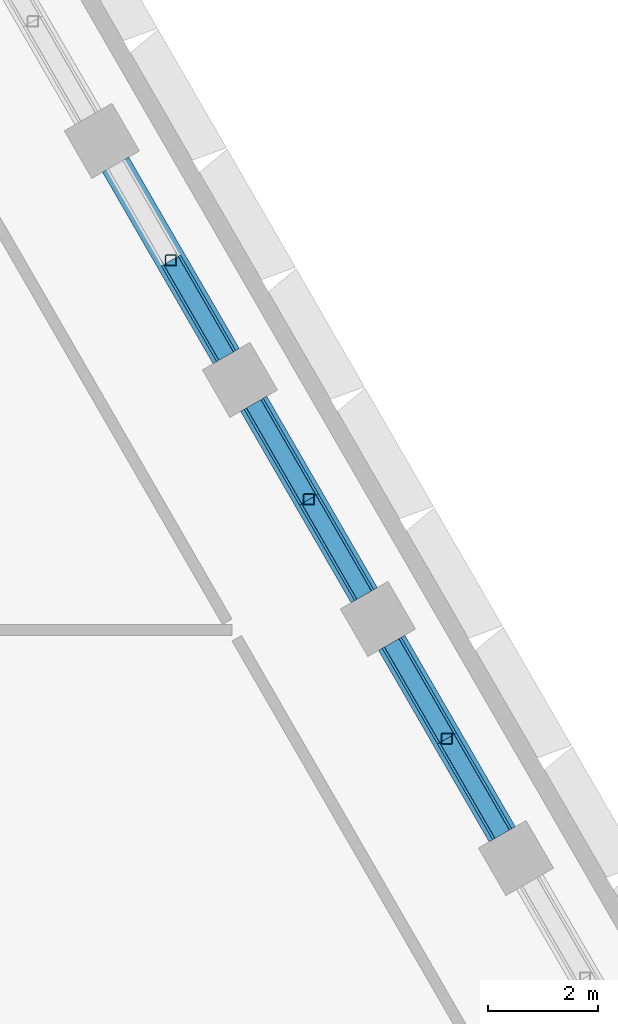
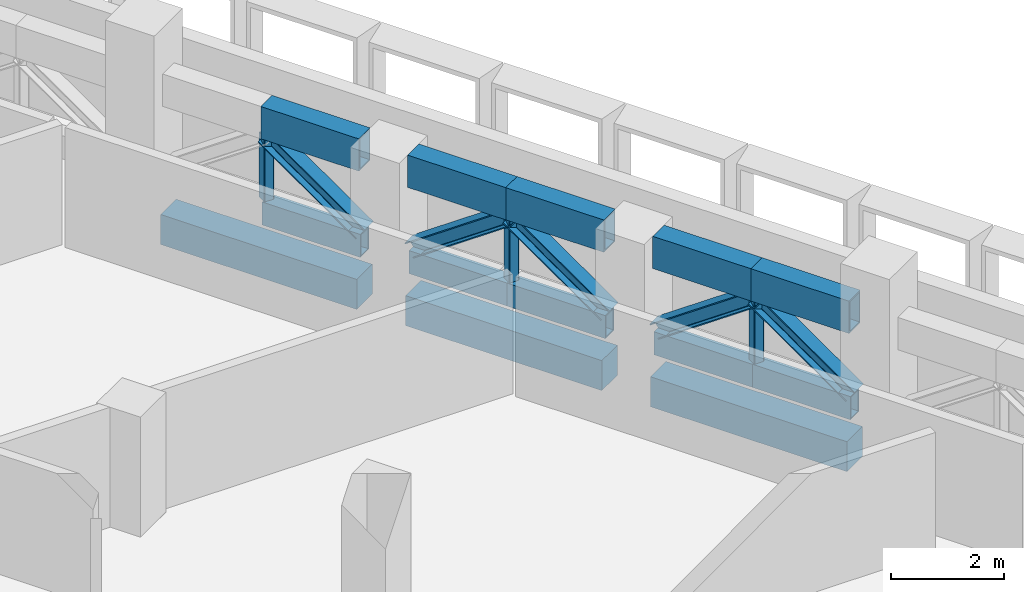
# One storey, part 9 of 23: 18 members, 3 beams.
"""IFC4 building model written with IfcOpenShell, lengths in metres."""

from ifc_helpers import new_model, si_unit, direction, frame, origin, origin_2d, place, context, subcontext, project, spatial, rectangle, hollow_rectangle, i_section, extrude, material, material_profile, profile_set, type_object, element, save


model = new_model("IFC4")

# Units and contexts
model_context = context("Model", 3, precision=1e-05, world=origin(), true_north=direction((0.0, 1.0)))
body_context = subcontext(model_context, "Body", "Model", "MODEL_VIEW")
ifc_project = project(units=[si_unit("LENGTHUNIT", "METRE"), si_unit("AREAUNIT", "SQUARE_METRE"), si_unit("VOLUMEUNIT", "CUBIC_METRE"), si_unit("PLANEANGLEUNIT", "RADIAN"), si_unit("MASSUNIT", "GRAM", prefix="KILO")], contexts=[model_context])

# Site, building, storey
site_placement = place(None, origin())
site = spatial("IfcSite", under=ifc_project, at=site_placement, CompositionType="ELEMENT")
building_placement = place(site_placement, origin())
building = spatial("IfcBuilding", under=site, at=building_placement, Name="Beryl Residences", CompositionType="ELEMENT")
storey_placement = place(building_placement, frame((0.0, 0.0, 108.0)))
storey = spatial("IfcBuildingStorey", under=building, at=storey_placement, Name="L33", CompositionType="ELEMENT", Elevation=108.0)

# Members
ifc_material_1 = material(Name="Steel S355", Category="steel")
ifc_material_profile_1 = material_profile(ifc_material_1, hollow_rectangle(XDim=0.300048828125, YDim=0.5, WallThickness=0.02490234375, at=origin_2d()))
ifc_profile_set_1 = profile_set([ifc_material_profile_1], Name="Steel S355")
member_type_1 = type_object("IfcMemberType", Name="BB2 belt truss bottom chord WB 500x300x25", PredefinedType="CHORD", material=ifc_profile_set_1)
member_1_placement = place(storey_placement, frame((24.951904296875, 6.282958984375, 0.25), z_axis=(-0.500055147301, 0.865993562134, 0.0), x_axis=(-0.865993562134, -0.500055147301, 0.0)))
element("IfcMember", 1, at=member_1_placement, inside=storey, type_object=member_type_1, Name="Outrigger truss BB2-NE-1a L33", PredefinedType="CHORD", context=body_context, shape_type="SweptSolid", body=[
    extrude(hollow_rectangle(XDim=0.300048828125, YDim=0.5, WallThickness=0.02490234375, at=origin_2d()), origin(), (0.0, 0.0, 1.0), 2.011474609375),
])
member_2_placement = place(storey_placement, frame((23.946044921875, 8.02490234375, 0.25), z_axis=(-0.500093603449, 0.865971355063, 0.0), x_axis=(-0.865971355063, -0.500093603449, 0.0)))
element("IfcMember", 2, at=member_2_placement, inside=storey, type_object=member_type_1, Name="Outrigger truss BB2-NE-1b L33", PredefinedType="CHORD", context=body_context, shape_type="SweptSolid", body=[
    extrude(hollow_rectangle(XDim=0.300048828125, YDim=0.5, WallThickness=0.02490234375, at=origin_2d()), origin(), (0.0, 0.0, 1.0), 2.01171875),
])
member_3_placement = place(storey_placement, frame((22.43994140625, 10.633056640625, 0.25), z_axis=(-0.500055147301, 0.865993562134, 0.0), x_axis=(-0.865993562134, -0.500055147301, 0.0)))
element("IfcMember", 3, at=member_3_placement, inside=storey, type_object=member_type_1, Name="Outrigger truss BB2-NE-2a L33", PredefinedType="CHORD", context=body_context, shape_type="SweptSolid", body=[
    extrude(hollow_rectangle(XDim=0.300048828125, YDim=0.5, WallThickness=0.02490234375, at=origin_2d()), origin(), (0.0, 0.0, 1.0), 2.011474609375),
])
member_4_placement = place(storey_placement, frame((21.43408203125, 12.375, 0.25), z_axis=(-0.499782004428, 0.866151227009, 0.0), x_axis=(-0.866151227009, -0.499782004428, 0.0)))
element("IfcMember", 4, at=member_4_placement, inside=storey, type_object=member_type_1, Name="Outrigger truss BB2-NE-2b L33", PredefinedType="CHORD", context=body_context, shape_type="SweptSolid", body=[
    extrude(hollow_rectangle(XDim=0.300048828125, YDim=0.5, WallThickness=0.02490234375, at=origin_2d()), origin(), (0.0, 0.0, 1.0), 2.01123046875),
])
member_5_placement = place(storey_placement, frame((19.928955078125, 14.98291015625, 0.25), z_axis=(-0.500002592159, 0.866023907196, 0.0), x_axis=(-0.866023907196, -0.500002592159, 0.0)))
element("IfcMember", 5, at=member_5_placement, inside=storey, type_object=member_type_1, Name="Outrigger truss BB2-NE-3a L33", PredefinedType="CHORD", context=body_context, shape_type="SweptSolid", body=[
    extrude(hollow_rectangle(XDim=0.300048828125, YDim=0.5, WallThickness=0.02490234375, at=origin_2d()), origin(), (0.0, 0.0, 1.0), 2.01171875),
])
ifc_material_2 = material(Name="Steel S355", Category="steel")
ifc_material_profile_2 = material_profile(ifc_material_2, i_section(OverallWidth=0.30908203125, OverallDepth=0.320068359375, WebThickness=0.013916015625, FlangeThickness=0.021728515625, FilletRadius=0.0166015625, at=origin_2d()))
ifc_profile_set_2 = profile_set([ifc_material_profile_2], Name="Steel S355")
member_type_2 = type_object("IfcMemberType", Name="BD2 belt truss diagonal 310UC137", PredefinedType="BRACE", material=ifc_profile_set_2)
member_6_placement = place(storey_placement, frame((24.951904296875, 6.282958984375, 0.5), z_axis=(-0.41044045507, 0.710799186147, 0.571229507129), x_axis=(-0.865993562134, -0.500055147301, 0.0)))
element("IfcMember", 6, at=member_6_placement, inside=storey, type_object=member_type_2, Name="Outrigger truss BD2-NE-1a L33", PredefinedType="BRACE", context=body_context, shape_type="SweptSolid", body=[
    extrude(i_section(OverallWidth=0.30908203125, OverallDepth=0.320068359375, WebThickness=0.013916015625, FlangeThickness=0.021728515625, FilletRadius=0.0166015625, at=origin_2d()), origin(), (0.0, 0.0, 1.0), 2.45068359375),
])
member_7_placement = place(storey_placement, frame((22.93994140625, 9.76708984375, 0.5), z_axis=(0.410494223011, -0.710819406795, 0.571165706077), x_axis=(0.865971355063, 0.500093603449, 0.0)))
element("IfcMember", 7, at=member_7_placement, inside=storey, type_object=member_type_2, Name="Outrigger truss BD2-NE-1b L33", PredefinedType="BRACE", context=body_context, shape_type="SweptSolid", body=[
    extrude(i_section(OverallWidth=0.30908203125, OverallDepth=0.320068359375, WebThickness=0.013916015625, FlangeThickness=0.021728515625, FilletRadius=0.0166015625, at=origin_2d()), origin(), (0.0, 0.0, 1.0), 2.450927734375),
])
member_8_placement = place(storey_placement, frame((22.43994140625, 10.633056640625, 0.5), z_axis=(-0.41044045507, 0.710799186147, 0.571229507129), x_axis=(-0.865993562134, -0.500055147301, 0.0)))
element("IfcMember", 8, at=member_8_placement, inside=storey, type_object=member_type_2, Name="Outrigger truss BD2-NE-2a L33", PredefinedType="BRACE", context=body_context, shape_type="SweptSolid", body=[
    extrude(i_section(OverallWidth=0.30908203125, OverallDepth=0.320068359375, WebThickness=0.013916015625, FlangeThickness=0.021728515625, FilletRadius=0.0166015625, at=origin_2d()), origin(), (0.0, 0.0, 1.0), 2.45068359375),
])
member_9_placement = place(storey_placement, frame((20.428955078125, 14.116943359375, 0.5), z_axis=(0.410191892043, -0.710886361361, 0.571299564968), x_axis=(0.866151227009, 0.499782004428, 0.0)))
element("IfcMember", 9, at=member_9_placement, inside=storey, type_object=member_type_2, Name="Outrigger truss BD2-NE-2b L33", PredefinedType="BRACE", context=body_context, shape_type="SweptSolid", body=[
    extrude(i_section(OverallWidth=0.30908203125, OverallDepth=0.320068359375, WebThickness=0.013916015625, FlangeThickness=0.021728515625, FilletRadius=0.0166015625, at=origin_2d()), origin(), (0.0, 0.0, 1.0), 2.450439453125),
])
member_10_placement = place(storey_placement, frame((19.928955078125, 14.98291015625, 0.5), z_axis=(-0.410411392479, 0.71084847008, 0.571189059339), x_axis=(-0.866023907196, -0.500002592159, 0.0)))
element("IfcMember", 10, at=member_10_placement, inside=storey, type_object=member_type_2, Name="Outrigger truss BD2-NE-3a L33", PredefinedType="BRACE", context=body_context, shape_type="SweptSolid", body=[
    extrude(i_section(OverallWidth=0.30908203125, OverallDepth=0.320068359375, WebThickness=0.013916015625, FlangeThickness=0.021728515625, FilletRadius=0.0166015625, at=origin_2d()), origin(), (0.0, 0.0, 1.0), 2.450927734375),
])
ifc_material_3 = material(Name="Steel S355", Category="steel")
ifc_material_profile_3 = material_profile(ifc_material_3, hollow_rectangle(XDim=0.199951171875, YDim=0.199951171875, WallThickness=0.009033203125, InnerFilletRadius=0.009033203125, OuterFilletRadius=0.01806640625, at=origin_2d()))
ifc_profile_set_3 = profile_set([ifc_material_profile_3], Name="Steel S355")
member_type_3 = type_object("IfcMemberType", Name="BQ2 belt truss post SHS 200x200x9", PredefinedType="POST", material=ifc_profile_set_3)
for number, where, z_axis, x_axis, name in (
    (11, (23.946044921875, 8.02490234375, 0.5), (0.0, 0.0, 1.0), (1.0, 0.0, 0.0), "Outrigger truss BQ2-NE-1 L33"),
    (12, (21.43408203125, 12.375, 0.5), (0.0, 0.0, 1.0), (1.0, 0.0, 0.0), "Outrigger truss BQ2-NE-2 L33"),
    (13, (18.923095703125, 16.72509765625, 0.5), (0.0, 0.0, 1.0), (1.0, 0.0, 0.0), "Outrigger truss BQ2-NE-3 L33"),
):
    element("IfcMember", number, at=place(storey_placement, frame(where, z_axis=z_axis, x_axis=x_axis)), inside=storey, type_object=member_type_3, Name=name, PredefinedType="POST", context=body_context, shape_type="SweptSolid", body=[
        extrude(hollow_rectangle(XDim=0.199951171875, YDim=0.199951171875, WallThickness=0.009033203125, InnerFilletRadius=0.009033203125, OuterFilletRadius=0.01806640625, at=origin_2d()), origin(), (0.0, 0.0, 1.0), 1.39990234375),
    ])
ifc_material_4 = material(Name="Steel S355", Category="steel")
ifc_material_profile_4 = material_profile(ifc_material_4, hollow_rectangle(XDim=0.39990234375, YDim=0.699951171875, WallThickness=0.030029296875, at=origin_2d()))
ifc_profile_set_4 = profile_set([ifc_material_profile_4], Name="Steel S355")
member_type_4 = type_object("IfcMemberType", Name="BT2 belt truss top chord WB 700x400x30", PredefinedType="CHORD", material=ifc_profile_set_4)
member_11_placement = place(storey_placement, frame((24.951904296875, 6.282958984375, 2.25), z_axis=(-0.500055147301, 0.865993562134, 0.0), x_axis=(-0.865993562134, -0.500055147301, 0.0)))
element("IfcMember", 14, at=member_11_placement, inside=storey, type_object=member_type_4, Name="Outrigger truss BT2-NE-1a L33", PredefinedType="CHORD", context=body_context, shape_type="SweptSolid", body=[
    extrude(hollow_rectangle(XDim=0.39990234375, YDim=0.699951171875, WallThickness=0.030029296875, at=origin_2d()), origin(), (0.0, 0.0, 1.0), 2.011474609375),
])
member_12_placement = place(storey_placement, frame((23.946044921875, 8.02490234375, 2.25), z_axis=(-0.500093603449, 0.865971355063, 0.0), x_axis=(-0.865971355063, -0.500093603449, 0.0)))
element("IfcMember", 15, at=member_12_placement, inside=storey, type_object=member_type_4, Name="Outrigger truss BT2-NE-1b L33", PredefinedType="CHORD", context=body_context, shape_type="SweptSolid", body=[
    extrude(hollow_rectangle(XDim=0.39990234375, YDim=0.699951171875, WallThickness=0.030029296875, at=origin_2d()), origin(), (0.0, 0.0, 1.0), 2.01171875),
])
member_13_placement = place(storey_placement, frame((22.43994140625, 10.633056640625, 2.25), z_axis=(-0.500055147301, 0.865993562134, 0.0), x_axis=(-0.865993562134, -0.500055147301, 0.0)))
element("IfcMember", 16, at=member_13_placement, inside=storey, type_object=member_type_4, Name="Outrigger truss BT2-NE-2a L33", PredefinedType="CHORD", context=body_context, shape_type="SweptSolid", body=[
    extrude(hollow_rectangle(XDim=0.39990234375, YDim=0.699951171875, WallThickness=0.030029296875, at=origin_2d()), origin(), (0.0, 0.0, 1.0), 2.011474609375),
])
member_14_placement = place(storey_placement, frame((21.43408203125, 12.375, 2.25), z_axis=(-0.499782004428, 0.866151227009, 0.0), x_axis=(-0.866151227009, -0.499782004428, 0.0)))
element("IfcMember", 17, at=member_14_placement, inside=storey, type_object=member_type_4, Name="Outrigger truss BT2-NE-2b L33", PredefinedType="CHORD", context=body_context, shape_type="SweptSolid", body=[
    extrude(hollow_rectangle(XDim=0.39990234375, YDim=0.699951171875, WallThickness=0.030029296875, at=origin_2d()), origin(), (0.0, 0.0, 1.0), 2.01123046875),
])
member_15_placement = place(storey_placement, frame((19.928955078125, 14.98291015625, 2.25), z_axis=(-0.500002592159, 0.866023907196, 0.0), x_axis=(-0.866023907196, -0.500002592159, 0.0)))
element("IfcMember", 18, at=member_15_placement, inside=storey, type_object=member_type_4, Name="Outrigger truss BT2-NE-3a L33", PredefinedType="CHORD", context=body_context, shape_type="SweptSolid", body=[
    extrude(hollow_rectangle(XDim=0.39990234375, YDim=0.699951171875, WallThickness=0.030029296875, at=origin_2d()), origin(), (0.0, 0.0, 1.0), 2.01171875),
])

# Beams
ifc_material_5 = material(Name="Concrete C70/85", Category="concrete")
ifc_material_profile_5 = material_profile(ifc_material_5, rectangle(XDim=0.550048828125, YDim=0.64990234375, at=origin_2d()))
ifc_profile_set_5 = profile_set([ifc_material_profile_5], Name="Concrete C70/85")
beam_type = type_object("IfcBeamType", Name="SB2 spandrel beam 550 x 650 C70/85", PredefinedType="SPANDREL", material=ifc_profile_set_5)
beam_1_placement = place(storey_placement, frame((24.951904296875, 6.282958984375, -0.72509765625), z_axis=(-0.500074377092, 0.865982457891, 0.0), x_axis=(-0.865982457891, -0.500074377092, 0.0)))
element("IfcBeam", 19, at=beam_1_placement, inside=storey, type_object=beam_type, Name="SB2 L33 NE-1", PredefinedType="SPANDREL", context=body_context, shape_type="SweptSolid", body=[
    extrude(rectangle(XDim=0.550048828125, YDim=0.64990234375, at=origin_2d()), origin(), (0.0, 0.0, 1.0), 4.0234375),
])
beam_2_placement = place(storey_placement, frame((22.43994140625, 10.633056640625, -0.72509765625), z_axis=(-0.499918594511, 0.866072398164, 0.0), x_axis=(-0.866072398164, -0.499918594511, 0.0)))
element("IfcBeam", 20, at=beam_2_placement, inside=storey, type_object=beam_type, Name="SB2 L33 NE-2", PredefinedType="SPANDREL", context=body_context, shape_type="SweptSolid", body=[
    extrude(rectangle(XDim=0.550048828125, YDim=0.64990234375, at=origin_2d()), origin(), (0.0, 0.0, 1.0), 4.022705078125),
])
beam_3_placement = place(storey_placement, frame((19.928955078125, 14.98291015625, -0.72509765625), z_axis=(-0.500074377092, 0.865982457891, 0.0), x_axis=(-0.865982457891, -0.500074377092, 0.0)))
element("IfcBeam", 21, at=beam_3_placement, inside=storey, type_object=beam_type, Name="SB2 L33 NE-3", PredefinedType="SPANDREL", context=body_context, shape_type="SweptSolid", body=[
    extrude(rectangle(XDim=0.550048828125, YDim=0.64990234375, at=origin_2d()), origin(), (0.0, 0.0, 1.0), 4.0234375),
])

save(model, "model.ifc")
